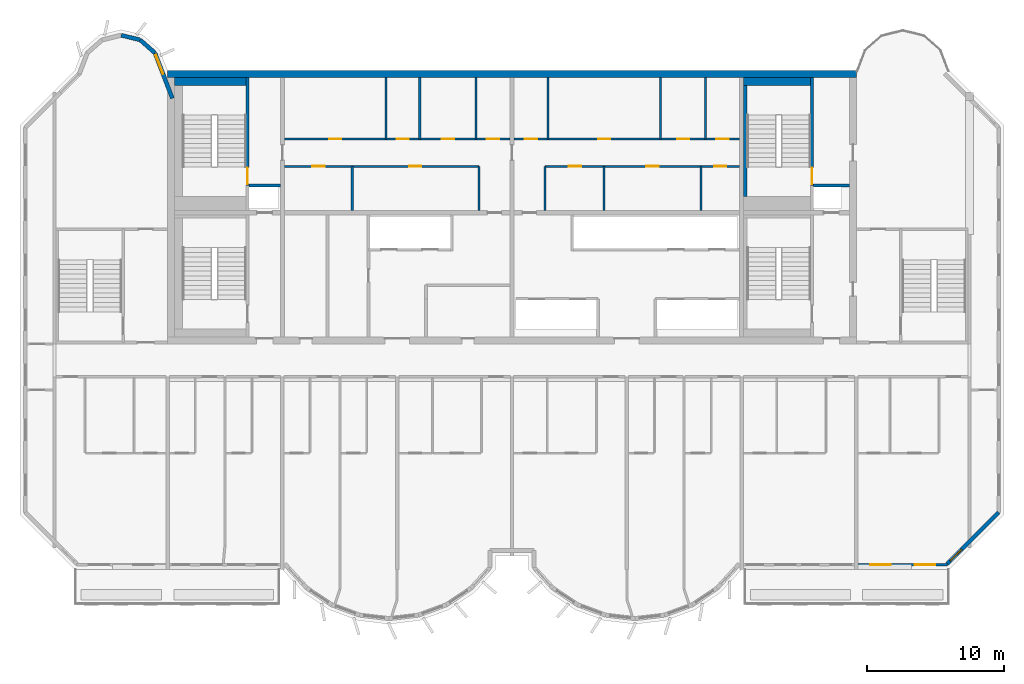
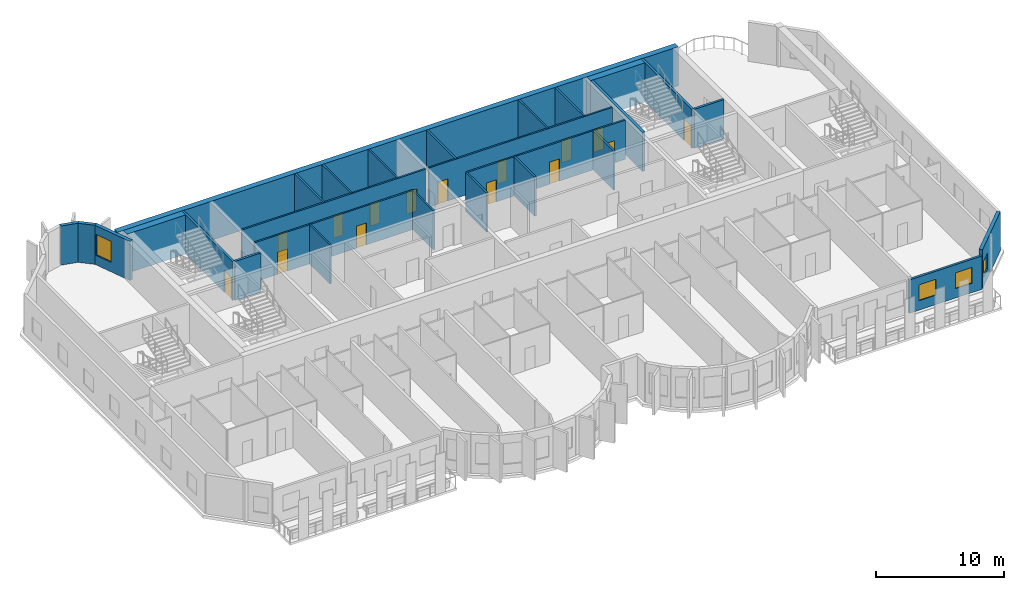
# One storey, part 7 of 12: 28 walls, 15 doors, 4 windows, 19 openings.
"""IFC4 building model written with IfcOpenShell, lengths in metres."""

from ifc_helpers import new_model, si_unit, direction, frame, frame_2d, origin, place, context, subcontext, project, spatial, rectangle, extrude, source, transform, mapped, material, layer, layer_set, type_object, element, fill, save


model = new_model("IFC4")

# Units and contexts
model_context = context("Model", 3, precision=1e-05, world=origin(), true_north=direction((0.0, 1.0)))
body_context = subcontext(model_context, "Body", "Model", "MODEL_VIEW")
ifc_project = project(units=[si_unit("LENGTHUNIT", "METRE"), si_unit("AREAUNIT", "SQUARE_METRE"), si_unit("VOLUMEUNIT", "CUBIC_METRE"), si_unit("PLANEANGLEUNIT", "RADIAN"), si_unit("MASSUNIT", "GRAM", prefix="KILO")], contexts=[model_context])

# Site, building, storey
site_placement = place(None, origin())
site = spatial("IfcSite", under=ifc_project, at=site_placement, CompositionType="ELEMENT")
building_placement = place(site_placement, origin())
building = spatial("IfcBuilding", under=site, at=building_placement, Name="Vanashikhar Sky Hotel", CompositionType="ELEMENT")
storey_placement = place(building_placement, frame((0.0, 0.0, 289.699951171875)))
storey = spatial("IfcBuildingStorey", under=building, at=storey_placement, Name="L69", CompositionType="ELEMENT", Elevation=289.699951171875)

# Wall
ifc_material_1 = material(Name="Concrete M50", Category="concrete")
ifc_layer_1 = layer(ifc_material_1, 0.5)
ifc_layer_set_1 = layer_set([ifc_layer_1], Name="RC core shell wall 500 Concrete M50")
wall_type_1 = type_object("IfcWallType", Name="RC core shell wall 500 Concrete M50", PredefinedType="SHEAR", material=ifc_layer_set_1)
shared_shape_1 = source(origin(), body_context, "Body", "SweptSolid", [
    extrude(rectangle(XDim=50.400146484375, YDim=0.5, at=frame_2d((25.2001953125, 0.0))), origin(), (0.0, 0.0, 1.0), 3.719970703125),
])
wall_1_placement = place(storey_placement, frame((25.199951171875, 41.75, 0.0), z_axis=(0.0, 0.0, 1.0), x_axis=(1.0, 0.0, 0.0)))
element("IfcWall", 1, at=wall_1_placement, inside=storey, type_object=wall_type_1, Name="KW-L69-KN", PredefinedType="SHEAR", context=body_context, shape_type="MappedRepresentation", body=[
    mapped(shared_shape_1, transform((0.0, 0.0, 0.0), scale=1.0)),
])

# Wall, openings, windows
ifc_layer_2 = layer(ifc_material_1, 0.199951171875)
ifc_layer_set_2 = layer_set([ifc_layer_2], Name="Front window wall 200")
wall_type_2 = type_object("IfcWallType", Name="Front window wall 200", PredefinedType="SOLIDWALL", material=ifc_layer_set_2)
shared_shape_2 = source(origin(), body_context, "Body", "SweptSolid", [
    extrude(rectangle(XDim=6.52978515625, YDim=0.199951171875, at=frame_2d((3.264892578125, 0.0))), origin(), (0.0, 0.0, 1.0), 3.170166015625),
])
wall_2_placement = place(storey_placement, frame((75.72509765625, 5.85009765625, 0.0), z_axis=(0.0, 0.0, 1.0), x_axis=(1.0, 0.0, 0.0)))
wall_2 = element("IfcWall", 2, at=wall_2_placement, inside=storey, type_object=wall_type_2, Name="Front window wall", PredefinedType="SOLIDWALL", context=body_context, shape_type="MappedRepresentation", body=[
    mapped(shared_shape_2, transform((0.0, 0.0, 0.0), scale=1.0)),
])
shared_shape_3 = source(origin(), body_context, "Body", "SweptSolid", [
    extrude(rectangle(XDim=1.5, YDim=1.5, at=frame_2d((0.75, 0.75))), frame((0.0, 0.10986328125, 0.0), z_axis=(0.0, -1.0, 0.0), x_axis=(1.0, 0.0, 0.0)), (0.0, 0.0, 1.0), 0.219970703125),
])
opening_1_placement = place(wall_2_placement, frame((0.882568359375, 0.0, 0.89990234375)))
opening_1 = element("IfcOpeningElement", 3, at=opening_1_placement, cuts=wall_2, Name="Opening WN-1", PredefinedType="OPENING", context=body_context, shape_type="MappedRepresentation", body=[
    mapped(shared_shape_3, transform((0.0, 0.0, 0.0), scale=1.0)),
])
opening_2_placement = place(wall_2_placement, frame((4.1474609375, 0.0, 0.89990234375)))
opening_2 = element("IfcOpeningElement", 4, at=opening_2_placement, cuts=wall_2, Name="Opening WN-1", PredefinedType="OPENING", context=body_context, shape_type="MappedRepresentation", body=[
    mapped(shared_shape_3, transform((0.0, 0.0, 0.0), scale=1.0)),
])
ifc_material_2 = material(Name="Glass", Category="glass")
window_type_1 = type_object("IfcWindowType", Name="Window 1500 x 1500", PartitioningType="SINGLE_PANEL", PredefinedType="WINDOW", material=ifc_material_2)
shared_shape_4 = source(origin(), body_context, "Body", "SweptSolid", [
    extrude(rectangle(XDim=1.5, YDim=1.5, at=frame_2d((0.75, 0.75))), frame((0.0, 0.030029296875, 0.0), z_axis=(0.0, -1.0, 0.0), x_axis=(1.0, 0.0, 0.0)), (0.0, 0.0, 1.0), 0.06005859375),
])
window_1_placement = place(opening_1_placement, origin())
window_1 = element("IfcWindow", 5, at=window_1_placement, inside=storey, type_object=window_type_1, Name="Window WN-1", OverallHeight=1.5, OverallWidth=1.5, PartitioningType="SINGLE_PANEL", PredefinedType="WINDOW", context=body_context, shape_type="MappedRepresentation", body=[
    mapped(shared_shape_4, transform((0.0, 0.0, 0.0), scale=1.0)),
])
fill(opening_1, window_1)
window_2_placement = place(opening_2_placement, origin())
window_2 = element("IfcWindow", 6, at=window_2_placement, inside=storey, type_object=window_type_1, Name="Window WN-1", OverallHeight=1.5, OverallWidth=1.5, PartitioningType="SINGLE_PANEL", PredefinedType="WINDOW", context=body_context, shape_type="MappedRepresentation", body=[
    mapped(shared_shape_4, transform((0.0, 0.0, 0.0), scale=1.0)),
])
fill(opening_2, window_2)

# Wall, opening, window
ifc_layer_3 = layer(ifc_material_1, 0.300048828125)
ifc_layer_set_3 = layer_set([ifc_layer_3], Name="Lobe wall 300")
wall_type_3 = type_object("IfcWallType", Name="Lobe wall 300", PredefinedType="SOLIDWALL", material=ifc_layer_set_3)
shared_shape_5 = source(origin(), body_context, "Body", "SweptSolid", [
    extrude(rectangle(XDim=5.32568359375, YDim=0.300048828125, at=frame_2d((2.662841796875, 0.0))), origin(), (0.0, 0.0, 1.0), 3.719970703125),
])
wall_3_placement = place(storey_placement, frame((82.234375, 5.89990234375, 0.0), z_axis=(0.0, 0.0, 1.0), x_axis=(0.707083859269, 0.707129702361, 0.0)))
wall_3 = element("IfcWall", 7, at=wall_3_placement, inside=storey, type_object=wall_type_3, Name="Corner wall", PredefinedType="SOLIDWALL", context=body_context, shape_type="MappedRepresentation", body=[
    mapped(shared_shape_5, transform((0.0, 0.0, 0.0), scale=1.0)),
])
shared_shape_6 = source(origin(), body_context, "Body", "SweptSolid", [
    extrude(rectangle(XDim=1.199951171875, YDim=1.5, at=frame_2d((0.60009765625, 0.75))), frame((0.0, 0.16015625, 0.0), z_axis=(0.0, -1.0, 0.0), x_axis=(1.0, 0.0, 0.0)), (0.0, 0.0, 1.0), 0.320068359375),
])
opening_3_placement = place(wall_3_placement, frame((0.31005859375, 0.0, 0.89990234375)))
opening_3 = element("IfcOpeningElement", 8, at=opening_3_placement, cuts=wall_3, Name="Opening WN-3", PredefinedType="OPENING", context=body_context, shape_type="MappedRepresentation", body=[
    mapped(shared_shape_6, transform((0.0, 0.0, 0.0), scale=1.0)),
])
window_type_2 = type_object("IfcWindowType", Name="Corridor end window 1200 x 1500", PartitioningType="SINGLE_PANEL", PredefinedType="WINDOW", material=ifc_material_2)
shared_shape_7 = source(origin(), body_context, "Body", "SweptSolid", [
    extrude(rectangle(XDim=1.199951171875, YDim=1.5, at=frame_2d((0.60009765625, 0.75))), frame((0.0, 0.030029296875, 0.0), z_axis=(0.0, -1.0, 0.0), x_axis=(1.0, 0.0, 0.0)), (0.0, 0.0, 1.0), 0.06005859375),
])
window_3_placement = place(opening_3_placement, origin())
window_3 = element("IfcWindow", 9, at=window_3_placement, inside=storey, type_object=window_type_2, Name="Window WN-3", OverallHeight=1.5, OverallWidth=1.199951171875, PartitioningType="SINGLE_PANEL", PredefinedType="WINDOW", context=body_context, shape_type="MappedRepresentation", body=[
    mapped(shared_shape_7, transform((0.0, 0.0, 0.0), scale=1.0)),
])
fill(opening_3, window_3)

shared_shape_8 = source(origin(), body_context, "Body", "SweptSolid", [
    extrude(rectangle(XDim=3.55908203125, YDim=0.300048828125, at=frame_2d((1.779541015625, 0.0))), origin(), (0.0, 0.0, 1.0), 3.719970703125),
])
wall_4_placement = place(storey_placement, frame((25.550048828125, 39.968505859375, 0.0), z_axis=(0.0, 0.0, 1.0), x_axis=(-0.35779745313, 0.933799219604, 0.0)))
wall_4 = element("IfcWall", 10, at=wall_4_placement, inside=storey, type_object=wall_type_3, Name="Lobe wall", PredefinedType="SOLIDWALL", context=body_context, shape_type="MappedRepresentation", body=[
    mapped(shared_shape_8, transform((0.0, 0.0, 0.0), scale=1.0)),
])
shared_shape_9 = source(origin(), body_context, "Body", "SweptSolid", [
    extrude(rectangle(XDim=1.5, YDim=2.0, at=frame_2d((0.75, 1.0))), frame((0.0, 0.16015625, 0.0), z_axis=(0.0, -1.0, 0.0), x_axis=(1.0, 0.0, 0.0)), (0.0, 0.0, 1.0), 0.320068359375),
])
opening_4_placement = place(wall_4_placement, frame((1.9033203125, 0.0, 0.89990234375)))
opening_4 = element("IfcOpeningElement", 11, at=opening_4_placement, cuts=wall_4, Name="Opening WN-2", PredefinedType="OPENING", context=body_context, shape_type="MappedRepresentation", body=[
    mapped(shared_shape_9, transform((0.0, 0.0, 0.0), scale=1.0)),
])
window_type_3 = type_object("IfcWindowType", Name="Lobe window 1500 x 2000", PartitioningType="SINGLE_PANEL", PredefinedType="WINDOW", material=ifc_material_2)
shared_shape_10 = source(origin(), body_context, "Body", "SweptSolid", [
    extrude(rectangle(XDim=1.5, YDim=2.0, at=frame_2d((0.75, 1.0))), frame((0.0, 0.030029296875, 0.0), z_axis=(0.0, -1.0, 0.0), x_axis=(1.0, 0.0, 0.0)), (0.0, 0.0, 1.0), 0.06005859375),
])
window_4_placement = place(opening_4_placement, origin())
window_4 = element("IfcWindow", 12, at=window_4_placement, inside=storey, type_object=window_type_3, Name="Window WN-2", OverallHeight=2.0, OverallWidth=1.5, PartitioningType="SINGLE_PANEL", PredefinedType="WINDOW", context=body_context, shape_type="MappedRepresentation", body=[
    mapped(shared_shape_10, transform((0.0, 0.0, 0.0), scale=1.0)),
])
fill(opening_4, window_4)

# Walls
shared_shape_11 = source(origin(), body_context, "Body", "SweptSolid", [
    extrude(rectangle(XDim=1.440185546875, YDim=0.300048828125, at=frame_2d((0.72021484375, 0.0))), origin(), (0.0, 0.0, 1.0), 3.719970703125),
])
wall_5_placement = place(storey_placement, frame((24.276611328125, 43.2919921875, 0.0), z_axis=(0.0, 0.0, 1.0), x_axis=(-0.749649827867, 0.661834673902, 0.0)))
element("IfcWall", 13, at=wall_5_placement, inside=storey, type_object=wall_type_3, Name="Lobe wall", PredefinedType="SOLIDWALL", context=body_context, shape_type="MappedRepresentation", body=[
    mapped(shared_shape_11, transform((0.0, 0.0, 0.0), scale=1.0)),
])
shared_shape_12 = source(origin(), body_context, "Body", "SweptSolid", [
    extrude(rectangle(XDim=1.4384765625, YDim=0.300048828125, at=frame_2d((0.71923828125, 0.0))), origin(), (0.0, 0.0, 1.0), 3.719970703125),
])
wall_6_placement = place(storey_placement, frame((23.197021484375, 44.2451171875, 0.0), z_axis=(0.0, 0.0, 1.0), x_axis=(-0.971152283879, 0.238460146601, 0.0)))
element("IfcWall", 14, at=wall_6_placement, inside=storey, type_object=wall_type_3, Name="Lobe wall", PredefinedType="SOLIDWALL", context=body_context, shape_type="MappedRepresentation", body=[
    mapped(shared_shape_12, transform((0.0, 0.0, 0.0), scale=1.0)),
])
ifc_material_3 = material(Name="Gypsum board partition")
ifc_layer_4 = layer(ifc_material_3, 0.14990234375)
ifc_layer_set_4 = layer_set([ifc_layer_4], Name="Service partition 150")
wall_type_4 = type_object("IfcWallType", Name="Service partition 150", PredefinedType="PARTITIONING", material=ifc_layer_set_4)
shared_shape_13 = source(origin(), body_context, "Body", "SweptSolid", [
    extrude(rectangle(XDim=3.25, YDim=0.14990234375, at=frame_2d((1.625, 0.0))), origin(), (0.0, 0.0, 1.0), 3.719970703125),
])
for number, where, z_axis, x_axis, name in (
    (15, (48.0, 31.75, 0.0), (0.0, 0.0, 1.0), (0.0, 1.0, 0.0), "Service partition 150"),
    (16, (38.7109375, 31.75, 0.0), (0.0, 0.0, 1.0), (0.0, 1.0, 0.0), "Service partition 150"),
    (17, (52.800048828125, 31.75, 0.0), (0.0, 0.0, 1.0), (0.0, 1.0, 0.0), "Service partition 150"),
    (18, (64.215087890625, 31.75, 0.0), (0.0, 0.0, 1.0), (0.0, 1.0, 0.0), "Service partition 150"),
    (19, (57.126953125, 31.75, 0.0), (0.0, 0.0, 1.0), (0.0, 1.0, 0.0), "Service partition 150"),
):
    element("IfcWall", number, at=place(storey_placement, frame(where, z_axis=z_axis, x_axis=x_axis)), inside=storey, type_object=wall_type_4, Name=name, PredefinedType="PARTITIONING", context=body_context, shape_type="MappedRepresentation", body=[
        mapped(shared_shape_13, transform((0.0, 0.0, 0.0), scale=1.0)),
    ])

# Wall, openings, doors
shared_shape_14 = source(origin(), body_context, "Body", "SweptSolid", [
    extrude(rectangle(XDim=14.25, YDim=0.14990234375, at=frame_2d((7.125, 0.0))), origin(), (0.0, 0.0, 1.0), 3.719970703125),
])
wall_7_placement = place(storey_placement, frame((33.75, 35.0, 0.0), z_axis=(0.0, 0.0, 1.0), x_axis=(1.0, 0.0, 0.0)))
wall_7 = element("IfcWall", 20, at=wall_7_placement, inside=storey, type_object=wall_type_4, Name="Service partition 150", PredefinedType="PARTITIONING", context=body_context, shape_type="MappedRepresentation", body=[
    mapped(shared_shape_14, transform((0.0, 0.0, 0.0), scale=1.0)),
])
shared_shape_15 = source(origin(), body_context, "Body", "SweptSolid", [
    extrude(rectangle(XDim=0.89990234375, YDim=2.10009765625, at=frame_2d((0.449951171875, 1.050048828125))), frame((0.0, 0.0849609375, 0.0), z_axis=(0.0, -1.0, 0.0), x_axis=(1.0, 0.0, 0.0)), (0.0, 0.0, 1.0), 0.169921875),
])
opening_5_placement = place(wall_7_placement, frame((2.031005859375, 0.0, 0.0)))
opening_5 = element("IfcOpeningElement", 21, at=opening_5_placement, cuts=wall_7, Name="Opening DC-4-A", PredefinedType="OPENING", context=body_context, shape_type="MappedRepresentation", body=[
    mapped(shared_shape_15, transform((0.0, 0.0, 0.0), scale=1.0)),
])
opening_6_placement = place(wall_7_placement, frame((9.117919921875, 0.0, 0.0)))
opening_6 = element("IfcOpeningElement", 22, at=opening_6_placement, cuts=wall_7, Name="Opening DC-4-A", PredefinedType="OPENING", context=body_context, shape_type="MappedRepresentation", body=[
    mapped(shared_shape_15, transform((0.0, 0.0, 0.0), scale=1.0)),
])
ifc_material_4 = material(Name="Steel", Category="steel")
door_type_1 = type_object("IfcDoorType", Name="Service door 900 FD60", OperationType="NOTDEFINED", PredefinedType="DOOR", material=ifc_material_4)
shared_shape_16 = source(origin(), body_context, "Body", "SweptSolid", [
    extrude(rectangle(XDim=0.89990234375, YDim=2.10009765625, at=frame_2d((0.449951171875, 1.050048828125))), frame((0.0, 0.02490234375, 0.0), z_axis=(0.0, -1.0, 0.0), x_axis=(1.0, 0.0, 0.0)), (0.0, 0.0, 1.0), 0.050048828125),
])
door_1_placement = place(opening_5_placement, origin())
door_1 = element("IfcDoor", 23, at=door_1_placement, inside=storey, type_object=door_type_1, Name="Service door 900 FD60", OperationType="SINGLE_SWING_RIGHT", OverallHeight=2.10009765625, OverallWidth=0.89990234375, PredefinedType="DOOR", context=body_context, shape_type="MappedRepresentation", body=[
    mapped(shared_shape_16, transform((0.0, 0.0, 0.0), scale=1.0)),
])
fill(opening_5, door_1)
door_2_placement = place(opening_6_placement, origin())
door_2 = element("IfcDoor", 24, at=door_2_placement, inside=storey, type_object=door_type_1, Name="Service door 900 FD60", OperationType="SINGLE_SWING_RIGHT", OverallHeight=2.10009765625, OverallWidth=0.89990234375, PredefinedType="DOOR", context=body_context, shape_type="MappedRepresentation", body=[
    mapped(shared_shape_16, transform((0.0, 0.0, 0.0), scale=1.0)),
])
fill(opening_6, door_2)

wall_8_placement = place(storey_placement, frame((67.050048828125, 35.0, 0.0), z_axis=(0.0, 0.0, 1.0), x_axis=(-1.0, 0.0, 0.0)))
wall_8 = element("IfcWall", 25, at=wall_8_placement, inside=storey, type_object=wall_type_4, Name="Service partition 150", PredefinedType="PARTITIONING", context=body_context, shape_type="MappedRepresentation", body=[
    mapped(shared_shape_14, transform((0.0, 0.0, 0.0), scale=1.0)),
])
opening_7_placement = place(wall_8_placement, frame((0.968017578125, 0.0, 0.0)))
opening_7 = element("IfcOpeningElement", 26, at=opening_7_placement, cuts=wall_8, Name="Opening DC-4-A", PredefinedType="OPENING", context=body_context, shape_type="MappedRepresentation", body=[
    mapped(shared_shape_15, transform((0.0, 0.0, 0.0), scale=1.0)),
])
opening_8_placement = place(wall_8_placement, frame((5.928955078125, 0.0, 0.0)))
opening_8 = element("IfcOpeningElement", 27, at=opening_8_placement, cuts=wall_8, Name="Opening DC-4-A", PredefinedType="OPENING", context=body_context, shape_type="MappedRepresentation", body=[
    mapped(shared_shape_15, transform((0.0, 0.0, 0.0), scale=1.0)),
])
opening_9_placement = place(wall_8_placement, frame((11.59912109375, 0.0, 0.0)))
opening_9 = element("IfcOpeningElement", 28, at=opening_9_placement, cuts=wall_8, Name="Opening DC-4-A", PredefinedType="OPENING", context=body_context, shape_type="MappedRepresentation", body=[
    mapped(shared_shape_15, transform((0.0, 0.0, 0.0), scale=1.0)),
])
door_3_placement = place(opening_7_placement, origin())
door_3 = element("IfcDoor", 29, at=door_3_placement, inside=storey, type_object=door_type_1, Name="Service door 900 FD60", OperationType="SINGLE_SWING_RIGHT", OverallHeight=2.10009765625, OverallWidth=0.89990234375, PredefinedType="DOOR", context=body_context, shape_type="MappedRepresentation", body=[
    mapped(shared_shape_16, transform((0.0, 0.0, 0.0), scale=1.0)),
])
fill(opening_7, door_3)
door_4_placement = place(opening_8_placement, origin())
door_4 = element("IfcDoor", 30, at=door_4_placement, inside=storey, type_object=door_type_1, Name="Service door 900 FD60", OperationType="SINGLE_SWING_RIGHT", OverallHeight=2.10009765625, OverallWidth=0.89990234375, PredefinedType="DOOR", context=body_context, shape_type="MappedRepresentation", body=[
    mapped(shared_shape_16, transform((0.0, 0.0, 0.0), scale=1.0)),
])
fill(opening_8, door_4)
door_5_placement = place(opening_9_placement, origin())
door_5 = element("IfcDoor", 31, at=door_5_placement, inside=storey, type_object=door_type_1, Name="Service door 900 FD60", OperationType="SINGLE_SWING_RIGHT", OverallHeight=2.10009765625, OverallWidth=0.89990234375, PredefinedType="DOOR", context=body_context, shape_type="MappedRepresentation", body=[
    mapped(shared_shape_16, transform((0.0, 0.0, 0.0), scale=1.0)),
])
fill(opening_9, door_5)

shared_shape_17 = source(origin(), body_context, "Body", "SweptSolid", [
    extrude(rectangle(XDim=16.5, YDim=0.14990234375, at=frame_2d((8.25, 0.0))), origin(), (0.0, 0.0, 1.0), 3.719970703125),
])
wall_9_placement = place(storey_placement, frame((33.75, 37.0, 0.0), z_axis=(0.0, 0.0, 1.0), x_axis=(1.0, 0.0, 0.0)))
wall_9 = element("IfcWall", 32, at=wall_9_placement, inside=storey, type_object=wall_type_4, Name="Service partition 150", PredefinedType="PARTITIONING", context=body_context, shape_type="MappedRepresentation", body=[
    mapped(shared_shape_17, transform((0.0, 0.0, 0.0), scale=1.0)),
])
opening_10_placement = place(wall_9_placement, frame((3.261962890625, 0.0, 0.0)))
opening_10 = element("IfcOpeningElement", 33, at=opening_10_placement, cuts=wall_9, Name="Opening DC-4-A", PredefinedType="OPENING", context=body_context, shape_type="MappedRepresentation", body=[
    mapped(shared_shape_15, transform((0.0, 0.0, 0.0), scale=1.0)),
])
opening_11_placement = place(wall_9_placement, frame((8.2119140625, 0.0, 0.0)))
opening_11 = element("IfcOpeningElement", 34, at=opening_11_placement, cuts=wall_9, Name="Opening DC-4-A", PredefinedType="OPENING", context=body_context, shape_type="MappedRepresentation", body=[
    mapped(shared_shape_15, transform((0.0, 0.0, 0.0), scale=1.0)),
])
opening_12_placement = place(wall_9_placement, frame((11.511962890625, 0.0, 0.0)))
opening_12 = element("IfcOpeningElement", 35, at=opening_12_placement, cuts=wall_9, Name="Opening DC-4-A", PredefinedType="OPENING", context=body_context, shape_type="MappedRepresentation", body=[
    mapped(shared_shape_15, transform((0.0, 0.0, 0.0), scale=1.0)),
])
opening_13_placement = place(wall_9_placement, frame((14.81298828125, 0.0, 0.0)))
opening_13 = element("IfcOpeningElement", 36, at=opening_13_placement, cuts=wall_9, Name="Opening DC-4-A", PredefinedType="OPENING", context=body_context, shape_type="MappedRepresentation", body=[
    mapped(shared_shape_15, transform((0.0, 0.0, 0.0), scale=1.0)),
])
door_6_placement = place(opening_10_placement, origin())
door_6 = element("IfcDoor", 37, at=door_6_placement, inside=storey, type_object=door_type_1, Name="Service door 900 FD60", OperationType="SINGLE_SWING_LEFT", OverallHeight=2.10009765625, OverallWidth=0.89990234375, PredefinedType="DOOR", context=body_context, shape_type="MappedRepresentation", body=[
    mapped(shared_shape_16, transform((0.0, 0.0, 0.0), scale=1.0)),
])
fill(opening_10, door_6)
door_7_placement = place(opening_11_placement, origin())
door_7 = element("IfcDoor", 38, at=door_7_placement, inside=storey, type_object=door_type_1, Name="Service door 900 FD60", OperationType="SINGLE_SWING_LEFT", OverallHeight=2.10009765625, OverallWidth=0.89990234375, PredefinedType="DOOR", context=body_context, shape_type="MappedRepresentation", body=[
    mapped(shared_shape_16, transform((0.0, 0.0, 0.0), scale=1.0)),
])
fill(opening_11, door_7)
door_8_placement = place(opening_12_placement, origin())
door_8 = element("IfcDoor", 39, at=door_8_placement, inside=storey, type_object=door_type_1, Name="Service door 900 FD60", OperationType="SINGLE_SWING_LEFT", OverallHeight=2.10009765625, OverallWidth=0.89990234375, PredefinedType="DOOR", context=body_context, shape_type="MappedRepresentation", body=[
    mapped(shared_shape_16, transform((0.0, 0.0, 0.0), scale=1.0)),
])
fill(opening_12, door_8)
door_9_placement = place(opening_13_placement, origin())
door_9 = element("IfcDoor", 40, at=door_9_placement, inside=storey, type_object=door_type_1, Name="Service door 900 FD60", OperationType="SINGLE_SWING_LEFT", OverallHeight=2.10009765625, OverallWidth=0.89990234375, PredefinedType="DOOR", context=body_context, shape_type="MappedRepresentation", body=[
    mapped(shared_shape_16, transform((0.0, 0.0, 0.0), scale=1.0)),
])
fill(opening_13, door_9)

wall_10_placement = place(storey_placement, frame((67.050048828125, 37.0, 0.0), z_axis=(0.0, 0.0, 1.0), x_axis=(-1.0, 0.0, 0.0)))
wall_10 = element("IfcWall", 41, at=wall_10_placement, inside=storey, type_object=wall_type_4, Name="Service partition 150", PredefinedType="PARTITIONING", context=body_context, shape_type="MappedRepresentation", body=[
    mapped(shared_shape_17, transform((0.0, 0.0, 0.0), scale=1.0)),
])
opening_14_placement = place(wall_10_placement, frame((0.7880859375, 0.0, 0.0)))
opening_14 = element("IfcOpeningElement", 42, at=opening_14_placement, cuts=wall_10, Name="Opening DC-4-A", PredefinedType="OPENING", context=body_context, shape_type="MappedRepresentation", body=[
    mapped(shared_shape_15, transform((0.0, 0.0, 0.0), scale=1.0)),
])
opening_15_placement = place(wall_10_placement, frame((3.675048828125, 0.0, 0.0)))
opening_15 = element("IfcOpeningElement", 43, at=opening_15_placement, cuts=wall_10, Name="Opening DC-4-A", PredefinedType="OPENING", context=body_context, shape_type="MappedRepresentation", body=[
    mapped(shared_shape_15, transform((0.0, 0.0, 0.0), scale=1.0)),
])
opening_16_placement = place(wall_10_placement, frame((9.449951171875, 0.0, 0.0)))
opening_16 = element("IfcOpeningElement", 44, at=opening_16_placement, cuts=wall_10, Name="Opening DC-4-A", PredefinedType="OPENING", context=body_context, shape_type="MappedRepresentation", body=[
    mapped(shared_shape_15, transform((0.0, 0.0, 0.0), scale=1.0)),
])
opening_17_placement = place(wall_10_placement, frame((14.81298828125, 0.0, 0.0)))
opening_17 = element("IfcOpeningElement", 45, at=opening_17_placement, cuts=wall_10, Name="Opening DC-4-A", PredefinedType="OPENING", context=body_context, shape_type="MappedRepresentation", body=[
    mapped(shared_shape_15, transform((0.0, 0.0, 0.0), scale=1.0)),
])
door_10_placement = place(opening_14_placement, origin())
door_10 = element("IfcDoor", 46, at=door_10_placement, inside=storey, type_object=door_type_1, Name="Service door 900 FD60", OperationType="SINGLE_SWING_LEFT", OverallHeight=2.10009765625, OverallWidth=0.89990234375, PredefinedType="DOOR", context=body_context, shape_type="MappedRepresentation", body=[
    mapped(shared_shape_16, transform((0.0, 0.0, 0.0), scale=1.0)),
])
fill(opening_14, door_10)
door_11_placement = place(opening_15_placement, origin())
door_11 = element("IfcDoor", 47, at=door_11_placement, inside=storey, type_object=door_type_1, Name="Service door 900 FD60", OperationType="SINGLE_SWING_LEFT", OverallHeight=2.10009765625, OverallWidth=0.89990234375, PredefinedType="DOOR", context=body_context, shape_type="MappedRepresentation", body=[
    mapped(shared_shape_16, transform((0.0, 0.0, 0.0), scale=1.0)),
])
fill(opening_15, door_11)
door_12_placement = place(opening_16_placement, origin())
door_12 = element("IfcDoor", 48, at=door_12_placement, inside=storey, type_object=door_type_1, Name="Service door 900 FD60", OperationType="SINGLE_SWING_LEFT", OverallHeight=2.10009765625, OverallWidth=0.89990234375, PredefinedType="DOOR", context=body_context, shape_type="MappedRepresentation", body=[
    mapped(shared_shape_16, transform((0.0, 0.0, 0.0), scale=1.0)),
])
fill(opening_16, door_12)
door_13_placement = place(opening_17_placement, origin())
door_13 = element("IfcDoor", 49, at=door_13_placement, inside=storey, type_object=door_type_1, Name="Service door 900 FD60", OperationType="SINGLE_SWING_RIGHT", OverallHeight=2.10009765625, OverallWidth=0.89990234375, PredefinedType="DOOR", context=body_context, shape_type="MappedRepresentation", body=[
    mapped(shared_shape_16, transform((0.0, 0.0, 0.0), scale=1.0)),
])
fill(opening_17, door_13)

# Walls
shared_shape_18 = source(origin(), body_context, "Body", "SweptSolid", [
    extrude(rectangle(XDim=4.5, YDim=0.14990234375, at=frame_2d((2.25, 0.0))), origin(), (0.0, 0.0, 1.0), 3.719970703125),
])
for number, where, z_axis, x_axis, name in (
    (50, (41.175048828125, 37.0, 0.0), (0.0, 0.0, 1.0), (0.0, 1.0, 0.0), "Service partition 150"),
    (51, (43.64990234375, 37.0, 0.0), (0.0, 0.0, 1.0), (0.0, 1.0, 0.0), "Service partition 150"),
    (52, (47.77490234375, 37.0, 0.0), (0.0, 0.0, 1.0), (0.0, 1.0, 0.0), "Service partition 150"),
    (53, (64.574951171875, 37.0, 0.0), (0.0, 0.0, 1.0), (0.0, 1.0, 0.0), "Service partition 150"),
    (54, (61.27490234375, 37.0, 0.0), (0.0, 0.0, 1.0), (0.0, 1.0, 0.0), "Service partition 150"),
    (55, (53.02490234375, 37.0, 0.0), (0.0, 0.0, 1.0), (0.0, 1.0, 0.0), "Service partition 150"),
):
    element("IfcWall", number, at=place(storey_placement, frame(where, z_axis=z_axis, x_axis=x_axis)), inside=storey, type_object=wall_type_4, Name=name, PredefinedType="PARTITIONING", context=body_context, shape_type="MappedRepresentation", body=[
        mapped(shared_shape_18, transform((0.0, 0.0, 0.0), scale=1.0)),
    ])
ifc_material_5 = material(Name="Concrete M40", Category="concrete")
ifc_layer_5 = layer(ifc_material_5, 0.199951171875)
ifc_layer_set_5 = layer_set([ifc_layer_5], Name="Shaft wall 200")
wall_type_5 = type_object("IfcWallType", Name="Shaft wall 200", PredefinedType="SOLIDWALL", material=ifc_layer_set_5)
shared_shape_19 = source(origin(), body_context, "Body", "SweptSolid", [
    extrude(rectangle(XDim=2.300048828125, YDim=0.199951171875, at=frame_2d((1.14990234375, 0.0))), origin(), (0.0, 0.0, 1.0), 3.719970703125),
])
wall_11_placement = place(storey_placement, frame((31.14990234375, 33.60009765625, 0.0), z_axis=(0.0, 0.0, 1.0), x_axis=(1.0, 0.0, 0.0)))
element("IfcWall", 56, at=wall_11_placement, inside=storey, type_object=wall_type_5, Name="Shaft wall 200", PredefinedType="SOLIDWALL", context=body_context, shape_type="MappedRepresentation", body=[
    mapped(shared_shape_19, transform((0.0, 0.0, 0.0), scale=1.0)),
])

# Wall, opening, door
ifc_layer_6 = layer(ifc_material_1, 0.199951171875)
ifc_layer_set_6 = layer_set([ifc_layer_6], Name="Stair wall 200")
wall_type_6 = type_object("IfcWallType", Name="Stair wall 200", PredefinedType="SOLIDWALL", material=ifc_layer_set_6)
shared_shape_20 = source(origin(), body_context, "Body", "SweptSolid", [
    extrude(rectangle(XDim=7.89990234375, YDim=0.199951171875, at=frame_2d((3.949951171875, 0.0))), origin(), (0.0, 0.0, 1.0), 3.719970703125),
])
wall_12_placement = place(storey_placement, frame((31.050048828125, 33.60009765625, 0.0), z_axis=(0.0, 0.0, 1.0), x_axis=(0.0, 1.0, 0.0)))
wall_12 = element("IfcWall", 57, at=wall_12_placement, inside=storey, type_object=wall_type_6, Name="Stair wall 200", PredefinedType="SOLIDWALL", context=body_context, shape_type="MappedRepresentation", body=[
    mapped(shared_shape_20, transform((0.0, 0.0, 0.0), scale=1.0)),
])
shared_shape_21 = source(origin(), body_context, "Body", "SweptSolid", [
    extrude(rectangle(XDim=1.199951171875, YDim=2.10009765625, at=frame_2d((0.60009765625, 1.050048828125))), frame((0.0, 0.10986328125, 0.0), z_axis=(0.0, -1.0, 0.0), x_axis=(1.0, 0.0, 0.0)), (0.0, 0.0, 1.0), 0.219970703125),
])
opening_18_placement = place(wall_12_placement, frame((0.10009765625, 0.0, 0.0)))
opening_18 = element("IfcOpeningElement", 58, at=opening_18_placement, cuts=wall_12, Name="Opening DC-1", PredefinedType="OPENING", context=body_context, shape_type="MappedRepresentation", body=[
    mapped(shared_shape_21, transform((0.0, 0.0, 0.0), scale=1.0)),
])
door_type_2 = type_object("IfcDoorType", Name="Stair door 1200 FD120", OperationType="NOTDEFINED", PredefinedType="DOOR", material=ifc_material_4)
shared_shape_22 = source(origin(), body_context, "Body", "SweptSolid", [
    extrude(rectangle(XDim=1.199951171875, YDim=2.10009765625, at=frame_2d((0.60009765625, 1.050048828125))), frame((0.0, 0.02490234375, 0.0), z_axis=(0.0, -1.0, 0.0), x_axis=(1.0, 0.0, 0.0)), (0.0, 0.0, 1.0), 0.050048828125),
])
door_14_placement = place(opening_18_placement, origin())
door_14 = element("IfcDoor", 59, at=door_14_placement, inside=storey, type_object=door_type_2, Name="Stair door 1200 FD120", OperationType="SINGLE_SWING_LEFT", OverallHeight=2.10009765625, OverallWidth=1.199951171875, PredefinedType="DOOR", context=body_context, shape_type="MappedRepresentation", body=[
    mapped(shared_shape_22, transform((0.0, 0.0, 0.0), scale=1.0)),
])
fill(opening_18, door_14)

wall_13_placement = place(storey_placement, frame((72.35009765625, 33.60009765625, 0.0), z_axis=(0.0, 0.0, 1.0), x_axis=(0.0, 1.0, 0.0)))
wall_13 = element("IfcWall", 60, at=wall_13_placement, inside=storey, type_object=wall_type_6, Name="Stair wall 200", PredefinedType="SOLIDWALL", context=body_context, shape_type="MappedRepresentation", body=[
    mapped(shared_shape_20, transform((0.0, 0.0, 0.0), scale=1.0)),
])
opening_19_placement = place(wall_13_placement, frame((0.10009765625, 0.0, 0.0)))
opening_19 = element("IfcOpeningElement", 61, at=opening_19_placement, cuts=wall_13, Name="Opening DC-1", PredefinedType="OPENING", context=body_context, shape_type="MappedRepresentation", body=[
    mapped(shared_shape_21, transform((0.0, 0.0, 0.0), scale=1.0)),
])
door_15_placement = place(opening_19_placement, origin())
door_15 = element("IfcDoor", 62, at=door_15_placement, inside=storey, type_object=door_type_2, Name="Stair door 1200 FD120", OperationType="SINGLE_SWING_RIGHT", OverallHeight=2.10009765625, OverallWidth=1.199951171875, PredefinedType="DOOR", context=body_context, shape_type="MappedRepresentation", body=[
    mapped(shared_shape_22, transform((0.0, 0.0, 0.0), scale=1.0)),
])
fill(opening_19, door_15)

# Walls
shared_shape_23 = source(origin(), body_context, "Body", "SweptSolid", [
    extrude(rectangle(XDim=2.650146484375, YDim=0.199951171875, at=frame_2d((1.3251953125, 0.0))), origin(), (0.0, 0.0, 1.0), 3.719970703125),
])
wall_14_placement = place(storey_placement, frame((72.449951171875, 33.60009765625, 0.0), z_axis=(0.0, 0.0, 1.0), x_axis=(1.0, 0.0, 0.0)))
element("IfcWall", 63, at=wall_14_placement, inside=storey, type_object=wall_type_5, Name="Shaft wall 200", PredefinedType="SOLIDWALL", context=body_context, shape_type="MappedRepresentation", body=[
    mapped(shared_shape_23, transform((0.0, 0.0, 0.0), scale=1.0)),
])
ifc_layer_7 = layer(ifc_material_1, 0.60009765625)
ifc_layer_set_7 = layer_set([ifc_layer_7], Name="Stair infill wall 600")
wall_type_7 = type_object("IfcWallType", Name="Stair infill wall 600", PredefinedType="SOLIDWALL", material=ifc_layer_set_7)
shared_shape_24 = source(origin(), body_context, "Body", "SweptSolid", [
    extrude(rectangle(XDim=5.25, YDim=0.60009765625, at=frame_2d((2.625, 0.0))), origin(), (0.0, 0.0, 1.0), 3.719970703125),
])
wall_15_placement = place(storey_placement, frame((25.699951171875, 41.199951171875, 0.0), z_axis=(0.0, 0.0, 1.0), x_axis=(1.0, 0.0, 0.0)))
element("IfcWall", 64, at=wall_15_placement, inside=storey, type_object=wall_type_7, Name="Stair infill wall 600", PredefinedType="SOLIDWALL", context=body_context, shape_type="MappedRepresentation", body=[
    mapped(shared_shape_24, transform((0.0, 0.0, 0.0), scale=1.0)),
])
shared_shape_25 = source(origin(), body_context, "Body", "SweptSolid", [
    extrude(rectangle(XDim=4.89990234375, YDim=0.60009765625, at=frame_2d((2.449951171875, 0.0))), origin(), (0.0, 0.0, 1.0), 3.719970703125),
])
wall_16_placement = place(storey_placement, frame((67.35009765625, 41.199951171875, 0.0), z_axis=(0.0, 0.0, 1.0), x_axis=(1.0, 0.0, 0.0)))
element("IfcWall", 65, at=wall_16_placement, inside=storey, type_object=wall_type_7, Name="Stair infill wall 600", PredefinedType="SOLIDWALL", context=body_context, shape_type="MappedRepresentation", body=[
    mapped(shared_shape_25, transform((0.0, 0.0, 0.0), scale=1.0)),
])
ifc_layer_8 = layer(ifc_material_1, 0.25)
ifc_layer_set_8 = layer_set([ifc_layer_8], Name="Stair infill wall 250")
wall_type_8 = type_object("IfcWallType", Name="Stair infill wall 250", PredefinedType="SOLIDWALL", material=ifc_layer_set_8)
shared_shape_26 = source(origin(), body_context, "Body", "SweptSolid", [
    extrude(rectangle(XDim=8.099853515625, YDim=0.25, at=frame_2d((4.0498046875, 0.0))), origin(), (0.0, 0.0, 1.0), 3.719970703125),
])
wall_17_placement = place(storey_placement, frame((67.47509765625, 32.800048828125, 0.0), z_axis=(0.0, 0.0, 1.0), x_axis=(0.0, 1.0, 0.0)))
element("IfcWall", 66, at=wall_17_placement, inside=storey, type_object=wall_type_8, Name="Stair infill wall 250", PredefinedType="SOLIDWALL", context=body_context, shape_type="MappedRepresentation", body=[
    mapped(shared_shape_26, transform((0.0, 0.0, 0.0), scale=1.0)),
])

save(model, "model.ifc")
